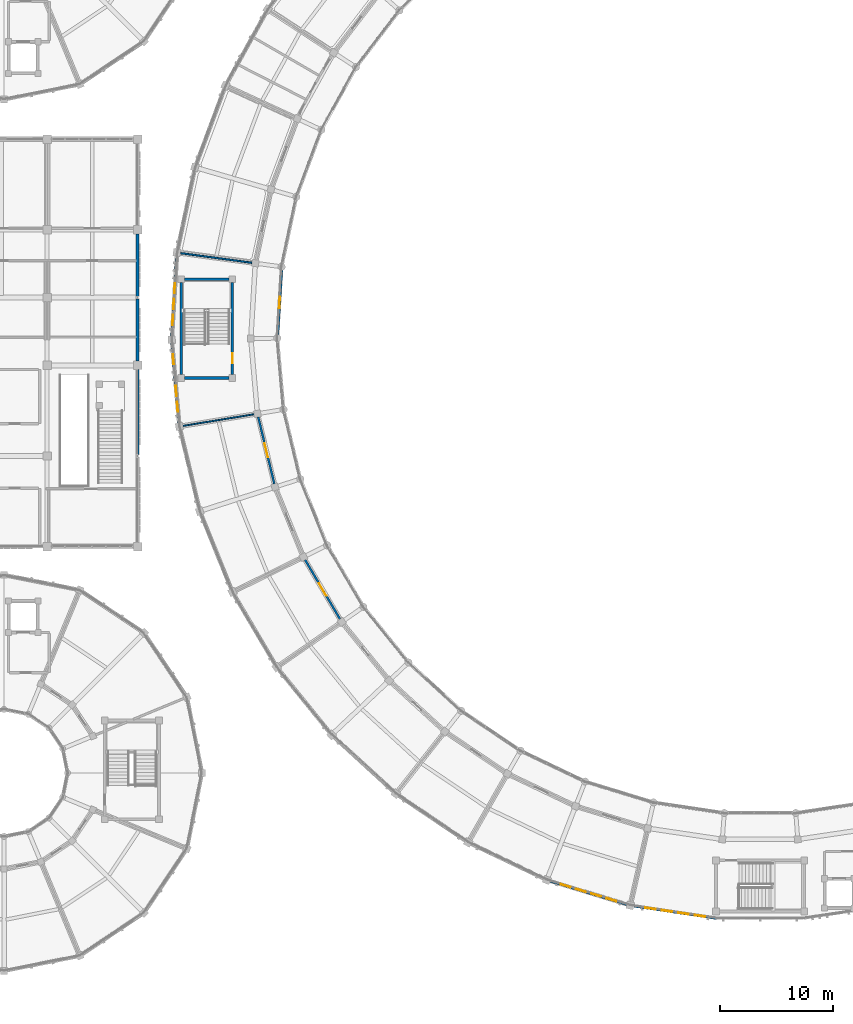
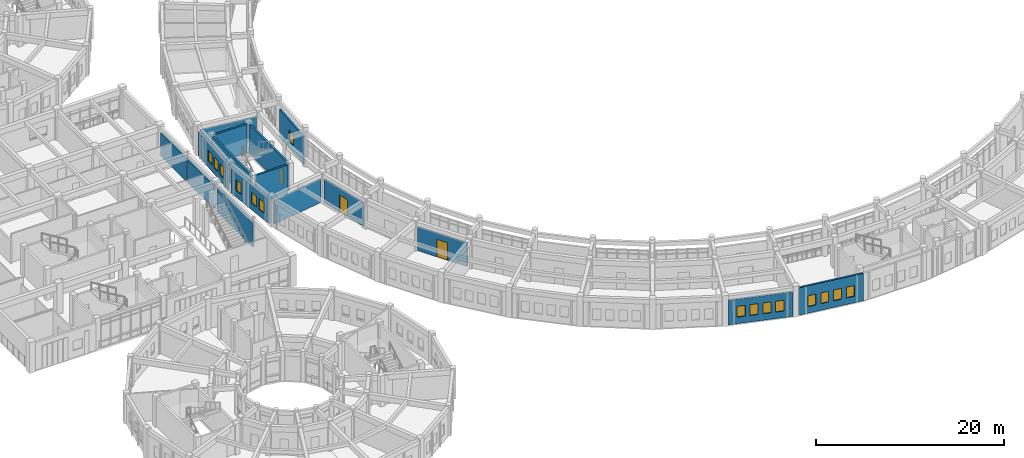
# One storey, part 122 of 159: 16 walls, 15 windows, 3 doors, 18 openings.
"""IFC4 building model written with IfcOpenShell, lengths in metres."""

import ifcopenshell
import ifcopenshell.guid

model = None  # the IFC model being written
_history = None  # IfcOwnerHistory: only IFC2X3 demands one
_inside = {}  # id of a spatial element -> (the spatial element, [elements in it])
_under = {}  # id of a project, library or spatial element -> (it, [spatial elements below it])
_declared = {}  # id of a project -> (the project, [libraries it declares])
_typed = {}  # id of a type object -> (the type object, [elements of that type])
_made_of = {}  # id of a material, layer set ... -> (it, [elements and type objects made of it])


def new_model(schema):
    """Start an empty IFC model of exactly this schema.

    Asked for "IFC4X3", IfcOpenShell would pick the latest addendum, in which some entities
    have other attributes; the version numbers below select the first issue.
    IFC2X3 requires an IfcOwnerHistory on every rooted entity: one is made here for all.
    """
    global model, _history
    if schema == "IFC4X3":
        model = ifcopenshell.file(schema_version=(4, 3, 0, 0))
    else:
        model = ifcopenshell.file(schema=schema)
    _inside.clear()
    _under.clear()
    _declared.clear()
    _typed.clear()
    _made_of.clear()
    _history = None
    if model.schema == "IFC2X3":
        org = make("IfcOrganization", Name="unknown")
        user = make(
            "IfcPersonAndOrganization",
            ThePerson=make("IfcPerson", FamilyName="unknown"),
            TheOrganization=org,
        )
        app = make(
            "IfcApplication",
            ApplicationDeveloper=org,
            Version="unknown",
            ApplicationFullName="unknown",
            ApplicationIdentifier="unknown",
        )
        _history = make(
            "IfcOwnerHistory",
            OwningUser=user,
            OwningApplication=app,
            ChangeAction="ADDED",
            CreationDate=0,
        )
    return model


def make(cls, **values):
    """One entity of the class cls with the attributes given. An attribute that is None is left unset."""
    return model.create_entity(
        cls, **{name: value for name, value in values.items() if value is not None}
    )


def rooted(cls, **values):
    """An entity with a GlobalId (a new one), such as an element, a storey or a relation."""
    return make(cls, GlobalId=ifcopenshell.guid.new(), OwnerHistory=_history, **values)


def si_unit(unit_type, name, prefix=None):
    """IfcSIUnit, for example si_unit("LENGTHUNIT", "METRE", prefix="MILLI")."""
    return make("IfcSIUnit", UnitType=unit_type, Prefix=prefix, Name=name)


def assignment(units):
    """IfcUnitAssignment: the units of a project."""
    return None if units is None else make("IfcUnitAssignment", Units=units)


def point(xyz):
    """IfcCartesianPoint."""
    return None if xyz is None else make("IfcCartesianPoint", Coordinates=xyz)


def direction(xyz):
    """IfcDirection."""
    return None if xyz is None else make("IfcDirection", DirectionRatios=xyz)


def frame(location, z_axis=None, x_axis=None):
    """IfcAxis2Placement3D, a coordinate frame: its origin and axes. An axis left out is left unset."""
    return make(
        "IfcAxis2Placement3D",
        Location=point(location),
        Axis=direction(z_axis),
        RefDirection=direction(x_axis),
    )


def frame_2d(location, x_axis=None):
    """IfcAxis2Placement2D, a coordinate frame in the plane: its origin and x axis."""
    return make(
        "IfcAxis2Placement2D", Location=point(location), RefDirection=direction(x_axis)
    )


def origin():
    """The frame at (0, 0, 0) with its axes left unset."""
    return frame((0.0, 0.0, 0.0))


def place(relative_to, where):
    """IfcLocalPlacement: puts the frame where relative to a parent placement (None: the world)."""
    return make(
        "IfcLocalPlacement", PlacementRelTo=relative_to, RelativePlacement=where
    )


def context(
    kind, dimensions, precision=None, world=None, true_north=None, identifier=None
):
    """IfcGeometricRepresentationContext, for example the 3D "Model" context."""
    return make(
        "IfcGeometricRepresentationContext",
        ContextIdentifier=identifier,
        ContextType=kind,
        CoordinateSpaceDimension=dimensions,
        Precision=precision,
        WorldCoordinateSystem=world,
        TrueNorth=true_north,
    )


def subcontext(parent, identifier, kind, view, scale=None):
    """IfcGeometricRepresentationSubContext, for example "Body" below "Model"."""
    return make(
        "IfcGeometricRepresentationSubContext",
        ContextIdentifier=identifier,
        ContextType=kind,
        ParentContext=parent,
        TargetScale=scale,
        TargetView=view,
    )


def project(units=None, contexts=None):
    """IfcProject with its units and contexts."""
    return rooted(
        "IfcProject",
        Name="project",
        RepresentationContexts=contexts,
        UnitsInContext=assignment(units),
    )


def spatial(cls, under=None, at=None, **own):
    """A site, building, storey or space (cls), placed at a placement, below another one or the project."""
    s = rooted(cls, ObjectPlacement=at, **own)
    if under is not None:
        _under.setdefault(under.id(), (under, []))[1].append(s)
    return s


def profile(cls, at=None, kind="AREA", **sizes):
    """A parametric profile (cls). Its sizes go by their IFC names, for example OverallWidth=200.0."""
    return make(cls, ProfileType=kind, Position=at, **sizes)


def rectangle(**sizes):
    """IfcRectangleProfileDef."""
    return profile("IfcRectangleProfileDef", **sizes)


def extrude(swept, where, along, depth):
    """IfcExtrudedAreaSolid: the profile swept, set in the frame where, extruded along a direction by depth."""
    return make(
        "IfcExtrudedAreaSolid",
        SweptArea=swept,
        Position=where,
        ExtrudedDirection=direction(along),
        Depth=depth,
    )


def shape(context_of_items, identifier, shape_type, items):
    """IfcShapeRepresentation: the items that make up one representation, for example the "Body"."""
    return make(
        "IfcShapeRepresentation",
        ContextOfItems=context_of_items,
        RepresentationIdentifier=identifier,
        RepresentationType=shape_type,
        Items=items,
    )


def material(Name=None, Category=None):
    """IfcMaterial."""
    return make("IfcMaterial", Name=Name, Category=Category)


def layer(
    of_material, thickness, ventilated=None, Name=None, Category=None, Priority=None
):
    """IfcMaterialLayer: one layer of a wall or slab, of a material (None: an air gap)."""
    return make(
        "IfcMaterialLayer",
        Material=of_material,
        LayerThickness=thickness,
        IsVentilated=ventilated,
        Name=Name,
        Category=Category,
        Priority=Priority,
    )


def layer_set(layers, Name=None):
    """IfcMaterialLayerSet."""
    return make("IfcMaterialLayerSet", MaterialLayers=layers, LayerSetName=Name)


def made_of(thing, what):
    """Note that an element or type object is made of a material, layer set ...; save() writes the relation."""
    if what is not None:
        _made_of.setdefault(what.id(), (what, []))[1].append(thing)
    return thing


def type_object(cls, material=None, **own):
    """A type object (cls), such as IfcWallType, which elements share."""
    return made_of(rooted(cls, **own), material)


def element(
    cls,
    number,
    at=None,
    inside=None,
    cuts=None,
    type_object=None,
    material=None,
    context=None,
    identifier="Body",
    shape_type=None,
    held_by="IfcProductDefinitionShape",
    body=None,
    shapes=None,
    **own,
):
    """One element of the class cls, such as IfcWall. Its Tag is "e" and its number.

    at: its placement. inside: the storey or other place that contains it. cuts: it is an
    opening in that element (IfcRelVoidsElement). A single representation is given by context,
    identifier, shape_type and body (its items); several are given by shapes. held_by: the class
    of the entity that holds the representations. save() writes the other relations.
    """
    e = rooted(cls, Tag="e%d" % number, ObjectPlacement=at, **own)
    if body is not None:
        shapes = [shape(context, identifier, shape_type, body)]
    if shapes is not None:
        e.Representation = make(held_by, Representations=shapes)
    if inside is not None:
        _inside.setdefault(inside.id(), (inside, []))[1].append(e)
    if cuts is not None:
        rooted(
            "IfcRelVoidsElement", RelatingBuildingElement=cuts, RelatedOpeningElement=e
        )
    if type_object is not None:
        _typed.setdefault(type_object.id(), (type_object, []))[1].append(e)
    return made_of(e, material)


def fill(opening, filler):
    """IfcRelFillsElement: the door or window that sits in an opening."""
    return rooted(
        "IfcRelFillsElement",
        RelatingOpeningElement=opening,
        RelatedBuildingElement=filler,
    )


def aggregate(whole, parts):
    """IfcRelAggregates: a whole, such as a stair, and the parts it consists of."""
    return rooted("IfcRelAggregates", RelatingObject=whole, RelatedObjects=parts)


def save(model, path):
    """Write the relations noted so far, then the file.

    IfcRelAggregates (storeys below a building ...), IfcRelContainedInSpatialStructure (elements
    in a storey), IfcRelDefinesByType, IfcRelAssociatesMaterial and IfcRelDeclares: one each for
    every whole, place, type object, material and project.
    """
    for whole, parts in _under.values():
        aggregate(whole, parts)
    for where, things in _inside.values():
        rooted(
            "IfcRelContainedInSpatialStructure",
            RelatedElements=things,
            RelatingStructure=where,
        )
    for kind, things in _typed.values():
        rooted("IfcRelDefinesByType", RelatedObjects=things, RelatingType=kind)
    for what, things in _made_of.values():
        rooted("IfcRelAssociatesMaterial", RelatedObjects=things, RelatingMaterial=what)
    for by, libraries in _declared.values():
        rooted("IfcRelDeclares", RelatingContext=by, RelatedDefinitions=libraries)
    model.write(path)


model = new_model("IFC4")

# Units and contexts
model_context = context("Model", 3, precision=1e-05, world=origin(), true_north=direction((0.0, 1.0)))
body_context = subcontext(model_context, "Body", "Model", "MODEL_VIEW")
ifc_project = project(units=[si_unit("LENGTHUNIT", "METRE"), si_unit("AREAUNIT", "SQUARE_METRE"), si_unit("VOLUMEUNIT", "CUBIC_METRE"), si_unit("PLANEANGLEUNIT", "RADIAN"), si_unit("MASSUNIT", "GRAM", prefix="KILO")], contexts=[model_context])

# Site, building, storey
site_placement = place(None, origin())
site = spatial("IfcSite", under=ifc_project, at=site_placement, CompositionType="ELEMENT")
building_placement = place(site_placement, origin())
building = spatial("IfcBuilding", under=site, at=building_placement, Name="Celadon Cloister-Ring School", CompositionType="ELEMENT")
storey_placement = place(building_placement, frame((0.0, 0.0, 4.5)))
storey = spatial("IfcBuildingStorey", under=building, at=storey_placement, Name="L01", CompositionType="ELEMENT", Elevation=4.5)

# Walls
ifc_material_1 = material(Name="Rendered concrete blockwork", Category="masonry")
ifc_layer_1 = layer(ifc_material_1, 0.260009765625)
ifc_layer_set_1 = layer_set([ifc_layer_1], Name="Rendered concrete blockwork")
wall_type_1 = type_object("IfcWallType", Name="WT-EX2", PredefinedType="SOLIDWALL", material=ifc_layer_set_1)
for number, where, z_axis, x_axis, name in (
    (1, (32.0, 67.623046875, 0.0), (0.0, 0.0, 1.0), (0.0, -1.0, 0.0), "Exterior Wall 0504"),
    (2, (32.0, 61.887939453125, 0.0), (0.0, 0.0, 1.0), (0.0, -1.0, 0.0), "Exterior Wall 0505"),
):
    element("IfcWall", number, at=place(storey_placement, frame(where, z_axis=z_axis, x_axis=x_axis)), inside=storey, type_object=wall_type_1, Name=name, PredefinedType="SOLIDWALL", context=body_context, shape_type="SweptSolid", body=[
        extrude(rectangle(XDim=5.510986328125, YDim=0.260009765625, at=frame_2d((2.75537109375, 0.0))), origin(), (0.0, 0.0, 1.0), 2.98193359375),
    ])
wall_1_placement = place(storey_placement, frame((32.0, 55.623046875, 0.0), z_axis=(0.0, 0.0, 1.0), x_axis=(0.0, -1.0, 0.0)))
element("IfcWall", 3, at=wall_1_placement, inside=storey, type_object=wall_type_1, Name="Exterior Wall 0506", PredefinedType="SOLIDWALL", context=body_context, shape_type="SweptSolid", body=[
    extrude(rectangle(XDim=7.510986328125, YDim=0.260009765625, at=frame_2d((3.75537109375, 0.0))), origin(), (0.0, 0.0, 1.0), 3.132080078125),
])

# Wall, opening, window
ifc_material_2 = material(Name="Rendered concrete blockwork", Category="masonry")
ifc_layer_2 = layer(ifc_material_2, 0.239990234375)
ifc_layer_set_2 = layer_set([ifc_layer_2], Name="Rendered concrete blockwork")
wall_type_2 = type_object("IfcWallType", Name="WT-EX3", PredefinedType="SOLIDWALL", material=ifc_layer_set_2)
wall_2_placement = place(storey_placement, frame((44.715087890625, 64.39111328125, 0.0), z_axis=(0.0, 0.0, 1.0), x_axis=(-0.060202310399, -0.998186195969, 0.0)))
wall_2 = element("IfcWall", 4, at=wall_2_placement, inside=storey, type_object=wall_type_2, Name="Exterior Wall 0062", PredefinedType="SOLIDWALL", context=body_context, shape_type="SweptSolid", body=[
    extrude(rectangle(XDim=5.665283203125, YDim=0.239990234375, at=frame_2d((2.83251953125, 0.0))), origin(), (0.0, 0.0, 1.0), 3.550048828125),
])
opening_1_placement = place(wall_2_placement, frame((2.30810546875, 0.0, 0.89990234375)))
opening_1 = element("IfcOpeningElement", 5, at=opening_1_placement, cuts=wall_2, Name="Opening WN-22", PredefinedType="OPENING", context=body_context, shape_type="SweptSolid", body=[
    extrude(rectangle(XDim=1.050048828125, YDim=1.39990234375, at=frame_2d((0.52490234375, 0.699951171875))), frame((0.0, 0.1298828125, 0.0), z_axis=(0.0, -1.0, 0.0), x_axis=(1.0, 0.0, 0.0)), (0.0, 0.0, 1.0), 0.260009765625),
])
ifc_material_3 = material(Name="Tempered laminated insulating glass", Category="glass")
window_type_1 = type_object("IfcWindowType", Name="WN-22", PartitioningType="SINGLE_PANEL", PredefinedType="WINDOW", material=ifc_material_3)
window_1_placement = place(opening_1_placement, origin())
window_1 = element("IfcWindow", 6, at=window_1_placement, inside=storey, type_object=window_type_1, Name="Window 0156", OverallHeight=1.39990234375, OverallWidth=1.050048828125, PartitioningType="SINGLE_PANEL", PredefinedType="WINDOW", context=body_context, shape_type="SweptSolid", body=[
    extrude(rectangle(XDim=1.050048828125, YDim=1.39990234375, at=frame_2d((0.52490234375, 0.699951171875))), frame((0.0, 0.030029296875, 0.0), z_axis=(0.0, -1.0, 0.0), x_axis=(1.0, 0.0, 0.0)), (0.0, 0.0, 1.0), 0.06005859375),
])
fill(opening_1, window_1)

# Wall, openings, windows
ifc_material_4 = material(Name="Perforated terracotta clay brick masonry", Category="masonry")
ifc_layer_3 = layer(ifc_material_4, 0.219970703125)
ifc_layer_set_3 = layer_set([ifc_layer_3], Name="Perforated terracotta clay brick masonry")
wall_type_3 = type_object("IfcWallType", Name="WT-EX4", PredefinedType="SOLIDWALL", material=ifc_layer_set_3)
wall_3_placement = place(storey_placement, frame((35.02490234375, 58.615966796875, 0.0), z_axis=(0.0, 0.0, 1.0), x_axis=(0.06029906372, 0.998180355905, 0.0)))
wall_3 = element("IfcWall", 7, at=wall_3_placement, inside=storey, type_object=wall_type_3, Name="Exterior Wall 0061", PredefinedType="SOLIDWALL", context=body_context, shape_type="SweptSolid", body=[
    extrude(rectangle(XDim=7.03271484375, YDim=0.219970703125, at=frame_2d((3.516357421875, 0.0))), origin(), (0.0, 0.0, 1.0), 3.172119140625),
])
opening_2_placement = place(wall_3_placement, frame((0.95703125, 0.0, 0.85009765625)))
opening_2 = element("IfcOpeningElement", 8, at=opening_2_placement, cuts=wall_3, Name="Opening WN-21", PredefinedType="OPENING", context=body_context, shape_type="SweptSolid", body=[
    extrude(rectangle(XDim=0.89990234375, YDim=1.39990234375, at=frame_2d((0.449951171875, 0.699951171875))), frame((0.0, 0.1201171875, 0.0), z_axis=(0.0, -1.0, 0.0), x_axis=(1.0, 0.0, 0.0)), (0.0, 0.0, 1.0), 0.239990234375),
])
opening_3_placement = place(wall_3_placement, frame((2.363037109375, 0.0, 0.85009765625)))
opening_3 = element("IfcOpeningElement", 9, at=opening_3_placement, cuts=wall_3, Name="Opening WN-21", PredefinedType="OPENING", context=body_context, shape_type="SweptSolid", body=[
    extrude(rectangle(XDim=0.89990234375, YDim=1.39990234375, at=frame_2d((0.449951171875, 0.699951171875))), frame((0.0, 0.1201171875, 0.0), z_axis=(0.0, -1.0, 0.0), x_axis=(1.0, 0.0, 0.0)), (0.0, 0.0, 1.0), 0.239990234375),
])
opening_4_placement = place(wall_3_placement, frame((3.77001953125, 0.0, 0.85009765625)))
opening_4 = element("IfcOpeningElement", 10, at=opening_4_placement, cuts=wall_3, Name="Opening WN-21", PredefinedType="OPENING", context=body_context, shape_type="SweptSolid", body=[
    extrude(rectangle(XDim=0.89990234375, YDim=1.39990234375, at=frame_2d((0.449951171875, 0.699951171875))), frame((0.0, 0.1201171875, 0.0), z_axis=(0.0, -1.0, 0.0), x_axis=(1.0, 0.0, 0.0)), (0.0, 0.0, 1.0), 0.239990234375),
])
ifc_material_5 = material(Name="Tempered laminated insulating glass", Category="glass")
window_type_2 = type_object("IfcWindowType", Name="WN-21", PartitioningType="SINGLE_PANEL", PredefinedType="WINDOW", material=ifc_material_5)
window_2_placement = place(opening_2_placement, origin())
window_2 = element("IfcWindow", 11, at=window_2_placement, inside=storey, type_object=window_type_2, Name="Window 0153", OverallHeight=1.39990234375, OverallWidth=0.89990234375, PartitioningType="SINGLE_PANEL", PredefinedType="WINDOW", context=body_context, shape_type="SweptSolid", body=[
    extrude(rectangle(XDim=0.89990234375, YDim=1.39990234375, at=frame_2d((0.449951171875, 0.699951171875))), frame((0.0, 0.030029296875, 0.0), z_axis=(0.0, -1.0, 0.0), x_axis=(1.0, 0.0, 0.0)), (0.0, 0.0, 1.0), 0.06005859375),
])
fill(opening_2, window_2)
window_3_placement = place(opening_3_placement, origin())
window_3 = element("IfcWindow", 12, at=window_3_placement, inside=storey, type_object=window_type_2, Name="Window 0154", OverallHeight=1.39990234375, OverallWidth=0.89990234375, PartitioningType="SINGLE_PANEL", PredefinedType="WINDOW", context=body_context, shape_type="SweptSolid", body=[
    extrude(rectangle(XDim=0.89990234375, YDim=1.39990234375, at=frame_2d((0.449951171875, 0.699951171875))), frame((0.0, 0.030029296875, 0.0), z_axis=(0.0, -1.0, 0.0), x_axis=(1.0, 0.0, 0.0)), (0.0, 0.0, 1.0), 0.06005859375),
])
fill(opening_3, window_3)
window_4_placement = place(opening_4_placement, origin())
window_4 = element("IfcWindow", 13, at=window_4_placement, inside=storey, type_object=window_type_2, Name="Window 0155", OverallHeight=1.39990234375, OverallWidth=0.89990234375, PartitioningType="SINGLE_PANEL", PredefinedType="WINDOW", context=body_context, shape_type="SweptSolid", body=[
    extrude(rectangle(XDim=0.89990234375, YDim=1.39990234375, at=frame_2d((0.449951171875, 0.699951171875))), frame((0.0, 0.030029296875, 0.0), z_axis=(0.0, -1.0, 0.0), x_axis=(1.0, 0.0, 0.0)), (0.0, 0.0, 1.0), 0.06005859375),
])
fill(opening_4, window_4)

wall_4_placement = place(storey_placement, frame((35.652099609375, 50.94189453125, 0.0), z_axis=(0.0, 0.0, 1.0), x_axis=(-0.087777274836, 0.996140125696, 0.0)))
wall_4 = element("IfcWall", 14, at=wall_4_placement, inside=storey, type_object=wall_type_3, Name="Exterior Wall 0063", PredefinedType="SOLIDWALL", context=body_context, shape_type="SweptSolid", body=[
    extrude(rectangle(XDim=7.03125, YDim=0.219970703125, at=frame_2d((3.515625, 0.0))), origin(), (0.0, 0.0, 1.0), 3.172119140625),
])
opening_5_placement = place(wall_4_placement, frame((0.9560546875, 0.0, 0.85009765625)))
opening_5 = element("IfcOpeningElement", 15, at=opening_5_placement, cuts=wall_4, Name="Opening WN-21", PredefinedType="OPENING", context=body_context, shape_type="SweptSolid", body=[
    extrude(rectangle(XDim=0.89990234375, YDim=1.39990234375, at=frame_2d((0.449951171875, 0.699951171875))), frame((0.0, 0.1201171875, 0.0), z_axis=(0.0, -1.0, 0.0), x_axis=(1.0, 0.0, 0.0)), (0.0, 0.0, 1.0), 0.239990234375),
])
opening_6_placement = place(wall_4_placement, frame((2.362060546875, 0.0, 0.85009765625)))
opening_6 = element("IfcOpeningElement", 16, at=opening_6_placement, cuts=wall_4, Name="Opening WN-21", PredefinedType="OPENING", context=body_context, shape_type="SweptSolid", body=[
    extrude(rectangle(XDim=0.89990234375, YDim=1.39990234375, at=frame_2d((0.449951171875, 0.699951171875))), frame((0.0, 0.1201171875, 0.0), z_axis=(0.0, -1.0, 0.0), x_axis=(1.0, 0.0, 0.0)), (0.0, 0.0, 1.0), 0.239990234375),
])
opening_7_placement = place(wall_4_placement, frame((5.175048828125, 0.0, 0.85009765625)))
opening_7 = element("IfcOpeningElement", 17, at=opening_7_placement, cuts=wall_4, Name="Opening WN-21", PredefinedType="OPENING", context=body_context, shape_type="SweptSolid", body=[
    extrude(rectangle(XDim=0.89990234375, YDim=1.39990234375, at=frame_2d((0.449951171875, 0.699951171875))), frame((0.0, 0.1201171875, 0.0), z_axis=(0.0, -1.0, 0.0), x_axis=(1.0, 0.0, 0.0)), (0.0, 0.0, 1.0), 0.239990234375),
])
window_5_placement = place(opening_5_placement, origin())
window_5 = element("IfcWindow", 18, at=window_5_placement, inside=storey, type_object=window_type_2, Name="Window 0157", OverallHeight=1.39990234375, OverallWidth=0.89990234375, PartitioningType="SINGLE_PANEL", PredefinedType="WINDOW", context=body_context, shape_type="SweptSolid", body=[
    extrude(rectangle(XDim=0.89990234375, YDim=1.39990234375, at=frame_2d((0.449951171875, 0.699951171875))), frame((0.0, 0.030029296875, 0.0), z_axis=(0.0, -1.0, 0.0), x_axis=(1.0, 0.0, 0.0)), (0.0, 0.0, 1.0), 0.06005859375),
])
fill(opening_5, window_5)
window_6_placement = place(opening_6_placement, origin())
window_6 = element("IfcWindow", 19, at=window_6_placement, inside=storey, type_object=window_type_2, Name="Window 0158", OverallHeight=1.39990234375, OverallWidth=0.89990234375, PartitioningType="SINGLE_PANEL", PredefinedType="WINDOW", context=body_context, shape_type="SweptSolid", body=[
    extrude(rectangle(XDim=0.89990234375, YDim=1.39990234375, at=frame_2d((0.449951171875, 0.699951171875))), frame((0.0, 0.030029296875, 0.0), z_axis=(0.0, -1.0, 0.0), x_axis=(1.0, 0.0, 0.0)), (0.0, 0.0, 1.0), 0.06005859375),
])
fill(opening_6, window_6)
window_7_placement = place(opening_7_placement, origin())
window_7 = element("IfcWindow", 20, at=window_7_placement, inside=storey, type_object=window_type_2, Name="Window 0159", OverallHeight=1.39990234375, OverallWidth=0.89990234375, PartitioningType="SINGLE_PANEL", PredefinedType="WINDOW", context=body_context, shape_type="SweptSolid", body=[
    extrude(rectangle(XDim=0.89990234375, YDim=1.39990234375, at=frame_2d((0.449951171875, 0.699951171875))), frame((0.0, 0.030029296875, 0.0), z_axis=(0.0, -1.0, 0.0), x_axis=(1.0, 0.0, 0.0)), (0.0, 0.0, 1.0), 0.06005859375),
])
fill(opening_7, window_7)

wall_5_placement = place(storey_placement, frame((75.2080078125, 8.37890625, 0.0), z_axis=(0.0, 0.0, 1.0), x_axis=(-0.956340250866, 0.292255580912, 0.0)))
wall_5 = element("IfcWall", 21, at=wall_5_placement, inside=storey, type_object=wall_type_3, Name="Exterior Wall 0073", PredefinedType="SOLIDWALL", context=body_context, shape_type="SweptSolid", body=[
    extrude(rectangle(XDim=7.0322265625, YDim=0.219970703125, at=frame_2d((3.51611328125, 0.0))), origin(), (0.0, 0.0, 1.0), 3.172119140625),
])
opening_8_placement = place(wall_5_placement, frame((0.9560546875, 0.0, 0.85009765625)))
opening_8 = element("IfcOpeningElement", 22, at=opening_8_placement, cuts=wall_5, Name="Opening WN-21", PredefinedType="OPENING", context=body_context, shape_type="SweptSolid", body=[
    extrude(rectangle(XDim=0.89990234375, YDim=1.39990234375, at=frame_2d((0.449951171875, 0.699951171875))), frame((0.0, 0.1201171875, 0.0), z_axis=(0.0, -1.0, 0.0), x_axis=(1.0, 0.0, 0.0)), (0.0, 0.0, 1.0), 0.239990234375),
])
opening_9_placement = place(wall_5_placement, frame((2.363037109375, 0.0, 0.85009765625)))
opening_9 = element("IfcOpeningElement", 23, at=opening_9_placement, cuts=wall_5, Name="Opening WN-21", PredefinedType="OPENING", context=body_context, shape_type="SweptSolid", body=[
    extrude(rectangle(XDim=0.89990234375, YDim=1.39990234375, at=frame_2d((0.449951171875, 0.699951171875))), frame((0.0, 0.1201171875, 0.0), z_axis=(0.0, -1.0, 0.0), x_axis=(1.0, 0.0, 0.0)), (0.0, 0.0, 1.0), 0.239990234375),
])
opening_10_placement = place(wall_5_placement, frame((3.76904296875, 0.0, 0.85009765625)))
opening_10 = element("IfcOpeningElement", 24, at=opening_10_placement, cuts=wall_5, Name="Opening WN-21", PredefinedType="OPENING", context=body_context, shape_type="SweptSolid", body=[
    extrude(rectangle(XDim=0.89990234375, YDim=1.39990234375, at=frame_2d((0.449951171875, 0.699951171875))), frame((0.0, 0.1201171875, 0.0), z_axis=(0.0, -1.0, 0.0), x_axis=(1.0, 0.0, 0.0)), (0.0, 0.0, 1.0), 0.239990234375),
])
opening_11_placement = place(wall_5_placement, frame((5.176025390625, 0.0, 0.85009765625)))
opening_11 = element("IfcOpeningElement", 25, at=opening_11_placement, cuts=wall_5, Name="Opening WN-21", PredefinedType="OPENING", context=body_context, shape_type="SweptSolid", body=[
    extrude(rectangle(XDim=0.89990234375, YDim=1.39990234375, at=frame_2d((0.449951171875, 0.699951171875))), frame((0.0, 0.1201171875, 0.0), z_axis=(0.0, -1.0, 0.0), x_axis=(1.0, 0.0, 0.0)), (0.0, 0.0, 1.0), 0.239990234375),
])
window_8_placement = place(opening_8_placement, origin())
window_8 = element("IfcWindow", 26, at=window_8_placement, inside=storey, type_object=window_type_2, Name="Window 0190", OverallHeight=1.39990234375, OverallWidth=0.89990234375, PartitioningType="SINGLE_PANEL", PredefinedType="WINDOW", context=body_context, shape_type="SweptSolid", body=[
    extrude(rectangle(XDim=0.89990234375, YDim=1.39990234375, at=frame_2d((0.449951171875, 0.699951171875))), frame((0.0, 0.030029296875, 0.0), z_axis=(0.0, -1.0, 0.0), x_axis=(1.0, 0.0, 0.0)), (0.0, 0.0, 1.0), 0.06005859375),
])
fill(opening_8, window_8)
window_9_placement = place(opening_9_placement, origin())
window_9 = element("IfcWindow", 27, at=window_9_placement, inside=storey, type_object=window_type_2, Name="Window 0191", OverallHeight=1.39990234375, OverallWidth=0.89990234375, PartitioningType="SINGLE_PANEL", PredefinedType="WINDOW", context=body_context, shape_type="SweptSolid", body=[
    extrude(rectangle(XDim=0.89990234375, YDim=1.39990234375, at=frame_2d((0.449951171875, 0.699951171875))), frame((0.0, 0.030029296875, 0.0), z_axis=(0.0, -1.0, 0.0), x_axis=(1.0, 0.0, 0.0)), (0.0, 0.0, 1.0), 0.06005859375),
])
fill(opening_9, window_9)
window_10_placement = place(opening_10_placement, origin())
window_10 = element("IfcWindow", 28, at=window_10_placement, inside=storey, type_object=window_type_2, Name="Window 0192", OverallHeight=1.39990234375, OverallWidth=0.89990234375, PartitioningType="SINGLE_PANEL", PredefinedType="WINDOW", context=body_context, shape_type="SweptSolid", body=[
    extrude(rectangle(XDim=0.89990234375, YDim=1.39990234375, at=frame_2d((0.449951171875, 0.699951171875))), frame((0.0, 0.030029296875, 0.0), z_axis=(0.0, -1.0, 0.0), x_axis=(1.0, 0.0, 0.0)), (0.0, 0.0, 1.0), 0.06005859375),
])
fill(opening_10, window_10)
window_11_placement = place(opening_11_placement, origin())
window_11 = element("IfcWindow", 29, at=window_11_placement, inside=storey, type_object=window_type_2, Name="Window 0193", OverallHeight=1.39990234375, OverallWidth=0.89990234375, PartitioningType="SINGLE_PANEL", PredefinedType="WINDOW", context=body_context, shape_type="SweptSolid", body=[
    extrude(rectangle(XDim=0.89990234375, YDim=1.39990234375, at=frame_2d((0.449951171875, 0.699951171875))), frame((0.0, 0.030029296875, 0.0), z_axis=(0.0, -1.0, 0.0), x_axis=(1.0, 0.0, 0.0)), (0.0, 0.0, 1.0), 0.06005859375),
])
fill(opening_11, window_11)

wall_6_placement = place(storey_placement, frame((83.14794921875, 7.14306640625, 0.0), z_axis=(0.0, 0.0, 1.0), x_axis=(-0.989038445117, 0.147658234042, 0.0)))
wall_6 = element("IfcWall", 30, at=wall_6_placement, inside=storey, type_object=wall_type_3, Name="Exterior Wall 0075", PredefinedType="SOLIDWALL", context=body_context, shape_type="SweptSolid", body=[
    extrude(rectangle(XDim=7.36767578125, YDim=0.219970703125, at=frame_2d((3.683837890625, 0.0))), origin(), (0.0, 0.0, 1.0), 3.550048828125),
])
opening_12_placement = place(wall_6_placement, frame((1.02392578125, 0.0, 0.85009765625)))
opening_12 = element("IfcOpeningElement", 31, at=opening_12_placement, cuts=wall_6, Name="Opening WN-21", PredefinedType="OPENING", context=body_context, shape_type="SweptSolid", body=[
    extrude(rectangle(XDim=0.89990234375, YDim=1.39990234375, at=frame_2d((0.449951171875, 0.699951171875))), frame((0.0, 0.1201171875, 0.0), z_axis=(0.0, -1.0, 0.0), x_axis=(1.0, 0.0, 0.0)), (0.0, 0.0, 1.0), 0.239990234375),
])
opening_13_placement = place(wall_6_placement, frame((2.4970703125, 0.0, 0.85009765625)))
opening_13 = element("IfcOpeningElement", 32, at=opening_13_placement, cuts=wall_6, Name="Opening WN-21", PredefinedType="OPENING", context=body_context, shape_type="SweptSolid", body=[
    extrude(rectangle(XDim=0.89990234375, YDim=1.39990234375, at=frame_2d((0.449951171875, 0.699951171875))), frame((0.0, 0.1201171875, 0.0), z_axis=(0.0, -1.0, 0.0), x_axis=(1.0, 0.0, 0.0)), (0.0, 0.0, 1.0), 0.239990234375),
])
opening_14_placement = place(wall_6_placement, frame((3.970947265625, 0.0, 0.85009765625)))
opening_14 = element("IfcOpeningElement", 33, at=opening_14_placement, cuts=wall_6, Name="Opening WN-21", PredefinedType="OPENING", context=body_context, shape_type="SweptSolid", body=[
    extrude(rectangle(XDim=0.89990234375, YDim=1.39990234375, at=frame_2d((0.449951171875, 0.699951171875))), frame((0.0, 0.1201171875, 0.0), z_axis=(0.0, -1.0, 0.0), x_axis=(1.0, 0.0, 0.0)), (0.0, 0.0, 1.0), 0.239990234375),
])
opening_15_placement = place(wall_6_placement, frame((5.444091796875, 0.0, 0.85009765625)))
opening_15 = element("IfcOpeningElement", 34, at=opening_15_placement, cuts=wall_6, Name="Opening WN-21", PredefinedType="OPENING", context=body_context, shape_type="SweptSolid", body=[
    extrude(rectangle(XDim=0.89990234375, YDim=1.39990234375, at=frame_2d((0.449951171875, 0.699951171875))), frame((0.0, 0.1201171875, 0.0), z_axis=(0.0, -1.0, 0.0), x_axis=(1.0, 0.0, 0.0)), (0.0, 0.0, 1.0), 0.239990234375),
])
window_12_placement = place(opening_12_placement, origin())
window_12 = element("IfcWindow", 35, at=window_12_placement, inside=storey, type_object=window_type_2, Name="Window 0195", OverallHeight=1.39990234375, OverallWidth=0.89990234375, PartitioningType="SINGLE_PANEL", PredefinedType="WINDOW", context=body_context, shape_type="SweptSolid", body=[
    extrude(rectangle(XDim=0.89990234375, YDim=1.39990234375, at=frame_2d((0.449951171875, 0.699951171875))), frame((0.0, 0.030029296875, 0.0), z_axis=(0.0, -1.0, 0.0), x_axis=(1.0, 0.0, 0.0)), (0.0, 0.0, 1.0), 0.06005859375),
])
fill(opening_12, window_12)
window_13_placement = place(opening_13_placement, origin())
window_13 = element("IfcWindow", 36, at=window_13_placement, inside=storey, type_object=window_type_2, Name="Window 0196", OverallHeight=1.39990234375, OverallWidth=0.89990234375, PartitioningType="SINGLE_PANEL", PredefinedType="WINDOW", context=body_context, shape_type="SweptSolid", body=[
    extrude(rectangle(XDim=0.89990234375, YDim=1.39990234375, at=frame_2d((0.449951171875, 0.699951171875))), frame((0.0, 0.030029296875, 0.0), z_axis=(0.0, -1.0, 0.0), x_axis=(1.0, 0.0, 0.0)), (0.0, 0.0, 1.0), 0.06005859375),
])
fill(opening_13, window_13)
window_14_placement = place(opening_14_placement, origin())
window_14 = element("IfcWindow", 37, at=window_14_placement, inside=storey, type_object=window_type_2, Name="Window 0197", OverallHeight=1.39990234375, OverallWidth=0.89990234375, PartitioningType="SINGLE_PANEL", PredefinedType="WINDOW", context=body_context, shape_type="SweptSolid", body=[
    extrude(rectangle(XDim=0.89990234375, YDim=1.39990234375, at=frame_2d((0.449951171875, 0.699951171875))), frame((0.0, 0.030029296875, 0.0), z_axis=(0.0, -1.0, 0.0), x_axis=(1.0, 0.0, 0.0)), (0.0, 0.0, 1.0), 0.06005859375),
])
fill(opening_14, window_14)
window_15_placement = place(opening_15_placement, origin())
window_15 = element("IfcWindow", 38, at=window_15_placement, inside=storey, type_object=window_type_2, Name="Window 0198", OverallHeight=1.39990234375, OverallWidth=0.89990234375, PartitioningType="SINGLE_PANEL", PredefinedType="WINDOW", context=body_context, shape_type="SweptSolid", body=[
    extrude(rectangle(XDim=0.89990234375, YDim=1.39990234375, at=frame_2d((0.449951171875, 0.699951171875))), frame((0.0, 0.030029296875, 0.0), z_axis=(0.0, -1.0, 0.0), x_axis=(1.0, 0.0, 0.0)), (0.0, 0.0, 1.0), 0.06005859375),
])
fill(opening_15, window_15)

# Wall, opening, door
ifc_material_6 = material(Name="Plastered hollow concrete masonry", Category="masonry")
ifc_layer_4 = layer(ifc_material_6, 0.179931640625)
ifc_layer_set_4 = layer_set([ifc_layer_4], Name="Plastered hollow concrete masonry")
wall_type_4 = type_object("IfcWallType", Name="WT-PT2", PredefinedType="PARTITIONING", material=ifc_layer_set_4)
wall_7_placement = place(storey_placement, frame((42.658935546875, 51.451904296875, 0.0), z_axis=(0.0, 0.0, 1.0), x_axis=(0.23391817251, -0.972256287493, 0.0)))
wall_7 = element("IfcWall", 39, at=wall_7_placement, inside=storey, type_object=wall_type_4, Name="Interior Wall 0514", PredefinedType="PARTITIONING", context=body_context, shape_type="SweptSolid", body=[
    extrude(rectangle(XDim=6.07958984375, YDim=0.179931640625, at=frame_2d((3.039794921875, 0.0))), origin(), (0.0, 0.0, 1.0), 3.072021484375),
])
opening_16_placement = place(wall_7_placement, frame((2.4150390625, 0.0, 0.0)))
opening_16 = element("IfcOpeningElement", 40, at=opening_16_placement, cuts=wall_7, Name="Opening D-0152", PredefinedType="OPENING", context=body_context, shape_type="SweptSolid", body=[
    extrude(rectangle(XDim=1.25, YDim=2.199951171875, at=frame_2d((0.625, 1.10009765625))), frame((0.0, 0.10009765625, 0.0), z_axis=(0.0, -1.0, 0.0), x_axis=(1.0, 0.0, 0.0)), (0.0, 0.0, 1.0), 0.199951171875),
])
ifc_material_7 = material(Name="Galvanised fire-rated hollow steel leaf", Category="steel")
door_type_1 = type_object("IfcDoorType", Name="DT-10", OperationType="NOTDEFINED", PredefinedType="DOOR", material=ifc_material_7)
door_1_placement = place(opening_16_placement, origin())
door_1 = element("IfcDoor", 41, at=door_1_placement, inside=storey, type_object=door_type_1, Name="Door D-0152", OperationType="SINGLE_SWING_RIGHT", OverallHeight=2.199951171875, OverallWidth=1.25, PredefinedType="DOOR", context=body_context, shape_type="SweptSolid", body=[
    extrude(rectangle(XDim=1.25, YDim=2.199951171875, at=frame_2d((0.625, 1.10009765625))), frame((0.0, 0.02490234375, 0.0), z_axis=(0.0, -1.0, 0.0), x_axis=(1.0, 0.0, 0.0)), (0.0, 0.0, 1.0), 0.050048828125),
])
fill(opening_16, door_1)

wall_8_placement = place(storey_placement, frame((46.800048828125, 38.823974609375, 0.0), z_axis=(0.0, 0.0, 1.0), x_axis=(0.507886500356, -0.861423997086, 0.0)))
wall_8 = element("IfcWall", 42, at=wall_8_placement, inside=storey, type_object=wall_type_4, Name="Interior Wall 0516", PredefinedType="PARTITIONING", context=body_context, shape_type="SweptSolid", body=[
    extrude(rectangle(XDim=6.081787109375, YDim=0.179931640625, at=frame_2d((3.041015625, 0.0))), origin(), (0.0, 0.0, 1.0), 3.072021484375),
])
opening_17_placement = place(wall_8_placement, frame((2.39111328125, 0.0, 0.0)))
opening_17 = element("IfcOpeningElement", 43, at=opening_17_placement, cuts=wall_8, Name="Opening D-0154", PredefinedType="OPENING", context=body_context, shape_type="SweptSolid", body=[
    extrude(rectangle(XDim=1.300048828125, YDim=2.280029296875, at=frame_2d((0.64990234375, 1.14013671875))), frame((0.0, 0.10009765625, 0.0), z_axis=(0.0, -1.0, 0.0), x_axis=(1.0, 0.0, 0.0)), (0.0, 0.0, 1.0), 0.199951171875),
])
ifc_material_8 = material(Name="Galvanised fire-rated hollow steel leaf", Category="steel")
door_type_2 = type_object("IfcDoorType", Name="DT-16", OperationType="NOTDEFINED", PredefinedType="DOOR", material=ifc_material_8)
door_2_placement = place(opening_17_placement, origin())
door_2 = element("IfcDoor", 44, at=door_2_placement, inside=storey, type_object=door_type_2, Name="Door D-0154", OperationType="SINGLE_SWING_RIGHT", OverallHeight=2.280029296875, OverallWidth=1.300048828125, PredefinedType="DOOR", context=body_context, shape_type="SweptSolid", body=[
    extrude(rectangle(XDim=1.300048828125, YDim=2.280029296875, at=frame_2d((0.64990234375, 1.14013671875))), frame((0.0, 0.02490234375, 0.0), z_axis=(0.0, -1.0, 0.0), x_axis=(1.0, 0.0, 0.0)), (0.0, 0.0, 1.0), 0.050048828125),
])
fill(opening_17, door_2)

# Walls
ifc_material_9 = material(Name="Acoustic mineral-wool drywall partition")
ifc_layer_5 = layer(ifc_material_9, 0.139892578125)
ifc_layer_set_5 = layer_set([ifc_layer_5], Name="Acoustic mineral-wool drywall partition")
wall_type_5 = type_object("IfcWallType", Name="WT-PT4", PredefinedType="PARTITIONING", material=ifc_layer_set_5)
wall_9_placement = place(storey_placement, frame((42.116943359375, 65.071044921875, 0.0), z_axis=(0.0, 0.0, 1.0), x_axis=(-0.990971868219, 0.134069968295, 0.0)))
element("IfcWall", 45, at=wall_9_placement, inside=storey, type_object=wall_type_5, Name="Interior Wall 0486", PredefinedType="PARTITIONING", context=body_context, shape_type="SweptSolid", body=[
    extrude(rectangle(XDim=6.3916015625, YDim=0.139892578125, at=frame_2d((3.19580078125, 0.0))), origin(), (0.0, 0.0, 1.0), 3.072021484375),
])
ifc_material_10 = material(Name="Acoustic mineral-wool drywall partition")
ifc_layer_6 = layer(ifc_material_10, 0.1201171875)
ifc_layer_set_6 = layer_set([ifc_layer_6], Name="Acoustic mineral-wool drywall partition")
wall_type_6 = type_object("IfcWallType", Name="WT-PT5", PredefinedType="PARTITIONING", material=ifc_layer_set_6)
wall_10_placement = place(storey_placement, frame((42.302001953125, 51.68994140625, 0.0), z_axis=(0.0, 0.0, 1.0), x_axis=(-0.986875911207, -0.161480450458, 0.0)))
element("IfcWall", 46, at=wall_10_placement, inside=storey, type_object=wall_type_6, Name="Interior Wall 0487", PredefinedType="PARTITIONING", context=body_context, shape_type="SweptSolid", body=[
    extrude(rectangle(XDim=6.390869140625, YDim=0.1201171875, at=frame_2d((3.1953125, 0.0))), origin(), (0.0, 0.0, 1.0), 3.072021484375),
])
ifc_material_11 = material(Name="Concrete C40/50", Category="concrete")
ifc_layer_7 = layer(ifc_material_11, 0.239990234375)
ifc_layer_set_7 = layer_set([ifc_layer_7], Name="Concrete C40/50")
wall_type_7 = type_object("IfcWallType", Name="WT-SH1", PredefinedType="SHEAR", material=ifc_layer_set_7)
wall_11_placement = place(storey_placement, frame((35.85009765625, 55.19189453125, 0.0), z_axis=(0.0, 0.0, 1.0), x_axis=(0.0, 1.0, 0.0)))
element("IfcWall", 47, at=wall_11_placement, inside=storey, type_object=wall_type_7, Name="Interior Wall 0181", PredefinedType="SHEAR", context=body_context, shape_type="SweptSolid", body=[
    extrude(rectangle(XDim=8.135986328125, YDim=0.239990234375, at=frame_2d((4.06787109375, 0.0))), origin(), (0.0, 0.0, 1.0), 3.739990234375),
])

# Wall, opening, door
wall_12_placement = place(storey_placement, frame((40.3701171875, 63.327880859375, 0.0), z_axis=(0.0, 0.0, 1.0), x_axis=(0.0, -1.0, 0.0)))
wall_12 = element("IfcWall", 48, at=wall_12_placement, inside=storey, type_object=wall_type_7, Name="Interior Wall 0182", PredefinedType="SHEAR", context=body_context, shape_type="SweptSolid", body=[
    extrude(rectangle(XDim=8.135986328125, YDim=0.239990234375, at=frame_2d((4.06787109375, 0.0))), origin(), (0.0, 0.0, 1.0), 3.739990234375),
])
opening_18_placement = place(wall_12_placement, frame((6.243896484375, 0.0, 0.0)))
opening_18 = element("IfcOpeningElement", 49, at=opening_18_placement, cuts=wall_12, Name="Opening D-0078", PredefinedType="OPENING", context=body_context, shape_type="SweptSolid", body=[
    extrude(rectangle(XDim=0.8798828125, YDim=2.10009765625, at=frame_2d((0.43994140625, 1.050048828125))), frame((0.0, 0.1298828125, 0.0), z_axis=(0.0, -1.0, 0.0), x_axis=(1.0, 0.0, 0.0)), (0.0, 0.0, 1.0), 0.260009765625),
])
ifc_material_12 = material(Name="Solid-core fire-rated hardwood leaf", Category="wood")
door_type_3 = type_object("IfcDoorType", Name="DT-01", OperationType="NOTDEFINED", PredefinedType="DOOR", material=ifc_material_12)
door_3_placement = place(opening_18_placement, origin())
door_3 = element("IfcDoor", 50, at=door_3_placement, inside=storey, type_object=door_type_3, Name="Door D-0078", OperationType="SINGLE_SWING_RIGHT", OverallHeight=2.10009765625, OverallWidth=0.8798828125, PredefinedType="DOOR", context=body_context, shape_type="SweptSolid", body=[
    extrude(rectangle(XDim=0.8798828125, YDim=2.10009765625, at=frame_2d((0.43994140625, 1.050048828125))), frame((0.0, 0.02490234375, 0.0), z_axis=(0.0, -1.0, 0.0), x_axis=(1.0, 0.0, 0.0)), (0.0, 0.0, 1.0), 0.050048828125),
])
fill(opening_18, door_3)

# Walls
for number, where, z_axis, x_axis, name in (
    (51, (40.077880859375, 54.89990234375, 0.0), (0.0, 0.0, 1.0), (-1.0, 0.0, 0.0), "Interior Wall 0183"),
    (52, (40.077880859375, 63.6201171875, 0.0), (0.0, 0.0, 1.0), (-1.0, 0.0, 0.0), "Interior Wall 0184"),
):
    element("IfcWall", number, at=place(storey_placement, frame(where, z_axis=z_axis, x_axis=x_axis)), inside=storey, type_object=wall_type_7, Name=name, PredefinedType="SHEAR", context=body_context, shape_type="SweptSolid", body=[
        extrude(rectangle(XDim=3.935791015625, YDim=0.239990234375, at=frame_2d((1.9677734375, 0.0))), origin(), (0.0, 0.0, 1.0), 3.739990234375),
    ])

save(model, "model.ifc")
